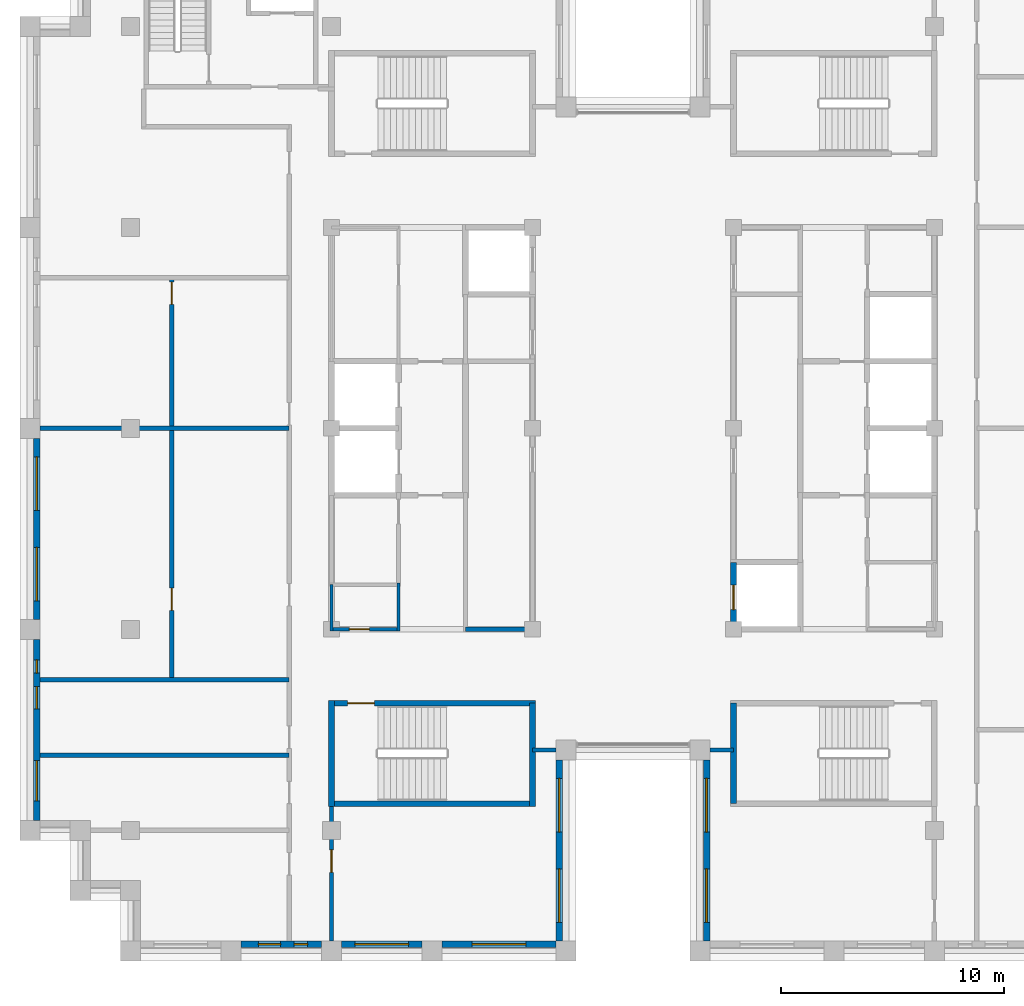
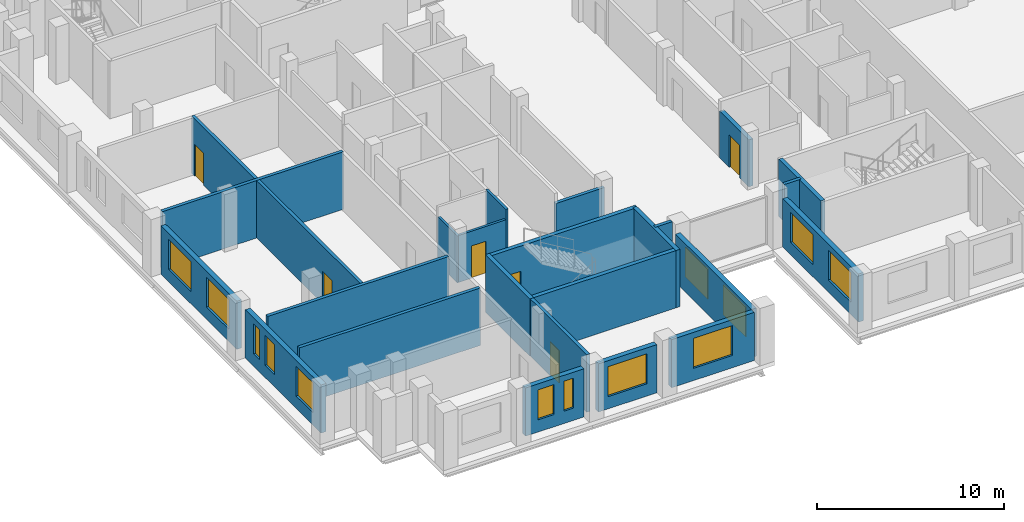
# One storey, part 6 of 13: 24 walls, 13 windows, 6 doors, 19 openings.
"""IFC4 building model written with IfcOpenShell, lengths in metres."""

from ifc_helpers import new_model, si_unit, direction, frame, frame_2d, origin, place, context, subcontext, project, spatial, rectangle, extrude, material, layer, layer_set, type_object, element, fill, save


model = new_model("IFC4")

# Units and contexts
model_context = context("Model", 3, precision=1e-05, world=origin(), true_north=direction((0.0, 1.0)))
body_context = subcontext(model_context, "Body", "Model", "MODEL_VIEW")
ifc_project = project(units=[si_unit("LENGTHUNIT", "METRE"), si_unit("AREAUNIT", "SQUARE_METRE"), si_unit("VOLUMEUNIT", "CUBIC_METRE"), si_unit("PLANEANGLEUNIT", "RADIAN"), si_unit("MASSUNIT", "GRAM", prefix="KILO")], contexts=[model_context])

# Site, building, storey
site_placement = place(None, origin())
site = spatial("IfcSite", under=ifc_project, at=site_placement, CompositionType="ELEMENT")
building_placement = place(site_placement, origin())
building = spatial("IfcBuilding", under=site, at=building_placement, Name="Corbelhall Arena Tower", CompositionType="ELEMENT")
storey_placement = place(building_placement, frame((0.0, 0.0, 304.0)))
storey = spatial("IfcBuildingStorey", under=building, at=storey_placement, Name="L66", CompositionType="ELEMENT", Elevation=304.0)

# Wall, openings, windows
ifc_material_1 = material(Name="Precast concrete C40/50 with granite facing", Category="masonry")
ifc_layer_1 = layer(ifc_material_1, 0.300048828125)
ifc_layer_set_1 = layer_set([ifc_layer_1], Name="EV-IW1 Infill panel 300")
wall_type_1 = type_object("IfcWallType", Name="EV-IW1 Infill panel 300", PredefinedType="SOLIDWALL", material=ifc_layer_set_1)
wall_1_placement = place(storey_placement, frame((-26.699951171875, -0.449951171875, 0.0), z_axis=(0.0, 0.0, 1.0), x_axis=(0.0, -1.0, 0.0)))
wall_1 = element("IfcWall", 1, at=wall_1_placement, inside=storey, type_object=wall_type_1, Name="Infill panel IW1", PredefinedType="SOLIDWALL", context=body_context, shape_type="SweptSolid", body=[
    extrude(rectangle(XDim=8.10009765625, YDim=0.300048828125, at=frame_2d((4.050048828125, 0.0))), origin(), (0.0, 0.0, 1.0), 3.139892578125),
])
opening_1_placement = place(wall_1_placement, frame((0.824951171875, 0.0, 0.800048828125)))
opening_1 = element("IfcOpeningElement", 2, at=opening_1_placement, cuts=wall_1, Name="Opening WN1", PredefinedType="OPENING", context=body_context, shape_type="SweptSolid", body=[
    extrude(rectangle(XDim=2.39990234375, YDim=1.949951171875, at=frame_2d((1.199951171875, 0.97509765625))), frame((0.0, 0.14990234375, 0.0), z_axis=(0.0, -1.0, 0.0), x_axis=(1.0, 0.0, 0.0)), (0.0, 0.0, 1.0), 0.300048828125),
])
opening_2_placement = place(wall_1_placement, frame((4.875, 0.0, 0.800048828125)))
opening_2 = element("IfcOpeningElement", 3, at=opening_2_placement, cuts=wall_1, Name="Opening WN1", PredefinedType="OPENING", context=body_context, shape_type="SweptSolid", body=[
    extrude(rectangle(XDim=2.39990234375, YDim=1.949951171875, at=frame_2d((1.199951171875, 0.97509765625))), frame((0.0, 0.14990234375, 0.0), z_axis=(0.0, -1.0, 0.0), x_axis=(1.0, 0.0, 0.0)), (0.0, 0.0, 1.0), 0.300048828125),
])
ifc_material_2 = material(Name="Aluminium black anodised", Category="aluminium")
window_type_1 = type_object("IfcWindowType", Name="EV-WN1 Office window", PartitioningType="SINGLE_PANEL", PredefinedType="WINDOW", material=ifc_material_2)
window_1_placement = place(opening_1_placement, origin())
window_1 = element("IfcWindow", 4, at=window_1_placement, inside=storey, type_object=window_type_1, Name="Window WN1", OverallHeight=1.949951171875, OverallWidth=2.39990234375, PartitioningType="SINGLE_PANEL", PredefinedType="WINDOW", context=body_context, shape_type="SweptSolid", body=[
    extrude(rectangle(XDim=2.39990234375, YDim=1.949951171875, at=frame_2d((1.199951171875, 0.97509765625))), frame((0.0, 0.030029296875, 0.0), z_axis=(0.0, -1.0, 0.0), x_axis=(1.0, 0.0, 0.0)), (0.0, 0.0, 1.0), 0.06005859375),
])
fill(opening_1, window_1)
window_2_placement = place(opening_2_placement, origin())
window_2 = element("IfcWindow", 5, at=window_2_placement, inside=storey, type_object=window_type_1, Name="Window WN1", OverallHeight=1.949951171875, OverallWidth=2.39990234375, PartitioningType="SINGLE_PANEL", PredefinedType="WINDOW", context=body_context, shape_type="SweptSolid", body=[
    extrude(rectangle(XDim=2.39990234375, YDim=1.949951171875, at=frame_2d((1.199951171875, 0.97509765625))), frame((0.0, 0.030029296875, 0.0), z_axis=(0.0, -1.0, 0.0), x_axis=(1.0, 0.0, 0.0)), (0.0, 0.0, 1.0), 0.06005859375),
])
fill(opening_2, window_2)

wall_2_placement = place(storey_placement, frame((-26.699951171875, -9.449951171875, 0.0), z_axis=(0.0, 0.0, 1.0), x_axis=(0.0, -1.0, 0.0)))
wall_2 = element("IfcWall", 6, at=wall_2_placement, inside=storey, type_object=wall_type_1, Name="Infill panel IW1", PredefinedType="SOLIDWALL", context=body_context, shape_type="SweptSolid", body=[
    extrude(rectangle(XDim=8.10009765625, YDim=0.300048828125, at=frame_2d((4.050048828125, 0.0))), origin(), (0.0, 0.0, 1.0), 3.139892578125),
])
opening_3_placement = place(wall_2_placement, frame((0.91259765625, 0.0, 0.800048828125)))
opening_3 = element("IfcOpeningElement", 7, at=opening_3_placement, cuts=wall_2, Name="Opening WN5", PredefinedType="OPENING", context=body_context, shape_type="SweptSolid", body=[
    extrude(rectangle(XDim=0.60009765625, YDim=1.949951171875, at=frame_2d((0.300048828125, 0.97509765625))), frame((0.0, 0.14990234375, 0.0), z_axis=(0.0, -1.0, 0.0), x_axis=(1.0, 0.0, 0.0)), (0.0, 0.0, 1.0), 0.300048828125),
])
opening_4_placement = place(wall_2_placement, frame((2.112548828125, 0.0, 0.800048828125)))
opening_4 = element("IfcOpeningElement", 8, at=opening_4_placement, cuts=wall_2, Name="Opening WN6", PredefinedType="OPENING", context=body_context, shape_type="SweptSolid", body=[
    extrude(rectangle(XDim=1.0, YDim=1.949951171875, at=frame_2d((0.5, 0.97509765625))), frame((0.0, 0.14990234375, 0.0), z_axis=(0.0, -1.0, 0.0), x_axis=(1.0, 0.0, 0.0)), (0.0, 0.0, 1.0), 0.300048828125),
])
opening_5_placement = place(wall_2_placement, frame((5.425048828125, 0.0, 0.800048828125)))
opening_5 = element("IfcOpeningElement", 9, at=opening_5_placement, cuts=wall_2, Name="Opening WN8", PredefinedType="OPENING", context=body_context, shape_type="SweptSolid", body=[
    extrude(rectangle(XDim=1.800048828125, YDim=1.949951171875, at=frame_2d((0.89990234375, 0.97509765625))), frame((0.0, 0.14990234375, 0.0), z_axis=(0.0, -1.0, 0.0), x_axis=(1.0, 0.0, 0.0)), (0.0, 0.0, 1.0), 0.300048828125),
])
window_type_2 = type_object("IfcWindowType", Name="EV-WN5 Office window 600", PartitioningType="SINGLE_PANEL", PredefinedType="WINDOW", material=ifc_material_2)
window_3_placement = place(opening_3_placement, origin())
window_3 = element("IfcWindow", 10, at=window_3_placement, inside=storey, type_object=window_type_2, Name="Window WN5", OverallHeight=1.949951171875, OverallWidth=0.60009765625, PartitioningType="SINGLE_PANEL", PredefinedType="WINDOW", context=body_context, shape_type="SweptSolid", body=[
    extrude(rectangle(XDim=0.60009765625, YDim=1.949951171875, at=frame_2d((0.300048828125, 0.97509765625))), frame((0.0, 0.030029296875, 0.0), z_axis=(0.0, -1.0, 0.0), x_axis=(1.0, 0.0, 0.0)), (0.0, 0.0, 1.0), 0.06005859375),
])
fill(opening_3, window_3)
window_type_3 = type_object("IfcWindowType", Name="EV-WN6 Office window 1000", PartitioningType="SINGLE_PANEL", PredefinedType="WINDOW", material=ifc_material_2)
window_4_placement = place(opening_4_placement, origin())
window_4 = element("IfcWindow", 11, at=window_4_placement, inside=storey, type_object=window_type_3, Name="Window WN6", OverallHeight=1.949951171875, OverallWidth=1.0, PartitioningType="SINGLE_PANEL", PredefinedType="WINDOW", context=body_context, shape_type="SweptSolid", body=[
    extrude(rectangle(XDim=1.0, YDim=1.949951171875, at=frame_2d((0.5, 0.97509765625))), frame((0.0, 0.030029296875, 0.0), z_axis=(0.0, -1.0, 0.0), x_axis=(1.0, 0.0, 0.0)), (0.0, 0.0, 1.0), 0.06005859375),
])
fill(opening_4, window_4)
window_type_4 = type_object("IfcWindowType", Name="EV-WN8 Office window 1800", PartitioningType="SINGLE_PANEL", PredefinedType="WINDOW", material=ifc_material_2)
window_5_placement = place(opening_5_placement, origin())
window_5 = element("IfcWindow", 12, at=window_5_placement, inside=storey, type_object=window_type_4, Name="Window WN8", OverallHeight=1.949951171875, OverallWidth=1.800048828125, PartitioningType="SINGLE_PANEL", PredefinedType="WINDOW", context=body_context, shape_type="SweptSolid", body=[
    extrude(rectangle(XDim=1.800048828125, YDim=1.949951171875, at=frame_2d((0.89990234375, 0.97509765625))), frame((0.0, 0.030029296875, 0.0), z_axis=(0.0, -1.0, 0.0), x_axis=(1.0, 0.0, 0.0)), (0.0, 0.0, 1.0), 0.06005859375),
])
fill(opening_5, window_5)

wall_3_placement = place(storey_placement, frame((-17.550048828125, -23.10009765625, 0.0), z_axis=(0.0, 0.0, 1.0), x_axis=(1.0, 0.0, 0.0)))
wall_3 = element("IfcWall", 13, at=wall_3_placement, inside=storey, type_object=wall_type_1, Name="Infill panel IW1", PredefinedType="SOLIDWALL", context=body_context, shape_type="SweptSolid", body=[
    extrude(rectangle(XDim=3.60009765625, YDim=0.300048828125, at=frame_2d((1.800048828125, 0.0))), origin(), (0.0, 0.0, 1.0), 3.139892578125),
])
opening_6_placement = place(wall_3_placement, frame((0.77490234375, 0.0, 0.800048828125)))
opening_6 = element("IfcOpeningElement", 14, at=opening_6_placement, cuts=wall_3, Name="Opening WN6", PredefinedType="OPENING", context=body_context, shape_type="SweptSolid", body=[
    extrude(rectangle(XDim=1.0, YDim=1.949951171875, at=frame_2d((0.5, 0.97509765625))), frame((0.0, 0.14990234375, 0.0), z_axis=(0.0, -1.0, 0.0), x_axis=(1.0, 0.0, 0.0)), (0.0, 0.0, 1.0), 0.300048828125),
])
opening_7_placement = place(wall_3_placement, frame((2.375, 0.0, 0.800048828125)))
opening_7 = element("IfcOpeningElement", 15, at=opening_7_placement, cuts=wall_3, Name="Opening WN5", PredefinedType="OPENING", context=body_context, shape_type="SweptSolid", body=[
    extrude(rectangle(XDim=0.60009765625, YDim=1.949951171875, at=frame_2d((0.300048828125, 0.97509765625))), frame((0.0, 0.14990234375, 0.0), z_axis=(0.0, -1.0, 0.0), x_axis=(1.0, 0.0, 0.0)), (0.0, 0.0, 1.0), 0.300048828125),
])
window_6_placement = place(opening_7_placement, origin())
window_6 = element("IfcWindow", 16, at=window_6_placement, inside=storey, type_object=window_type_2, Name="Window WN5", OverallHeight=1.949951171875, OverallWidth=0.60009765625, PartitioningType="SINGLE_PANEL", PredefinedType="WINDOW", context=body_context, shape_type="SweptSolid", body=[
    extrude(rectangle(XDim=0.60009765625, YDim=1.949951171875, at=frame_2d((0.300048828125, 0.97509765625))), frame((0.0, 0.030029296875, 0.0), z_axis=(0.0, -1.0, 0.0), x_axis=(1.0, 0.0, 0.0)), (0.0, 0.0, 1.0), 0.06005859375),
])
fill(opening_7, window_6)
window_7_placement = place(opening_6_placement, origin())
window_7 = element("IfcWindow", 17, at=window_7_placement, inside=storey, type_object=window_type_3, Name="Window WN6", OverallHeight=1.949951171875, OverallWidth=1.0, PartitioningType="SINGLE_PANEL", PredefinedType="WINDOW", context=body_context, shape_type="SweptSolid", body=[
    extrude(rectangle(XDim=1.0, YDim=1.949951171875, at=frame_2d((0.5, 0.97509765625))), frame((0.0, 0.030029296875, 0.0), z_axis=(0.0, -1.0, 0.0), x_axis=(1.0, 0.0, 0.0)), (0.0, 0.0, 1.0), 0.06005859375),
])
fill(opening_6, window_7)

# Wall, opening, window
wall_4_placement = place(storey_placement, frame((-13.050048828125, -23.10009765625, 0.0), z_axis=(0.0, 0.0, 1.0), x_axis=(1.0, 0.0, 0.0)))
wall_4 = element("IfcWall", 18, at=wall_4_placement, inside=storey, type_object=wall_type_1, Name="Infill panel IW1", PredefinedType="SOLIDWALL", context=body_context, shape_type="SweptSolid", body=[
    extrude(rectangle(XDim=3.60009765625, YDim=0.300048828125, at=frame_2d((1.800048828125, 0.0))), origin(), (0.0, 0.0, 1.0), 3.139892578125),
])
opening_8_placement = place(wall_4_placement, frame((0.60009765625, 0.0, 0.800048828125)))
opening_8 = element("IfcOpeningElement", 19, at=opening_8_placement, cuts=wall_4, Name="Opening WN1", PredefinedType="OPENING", context=body_context, shape_type="SweptSolid", body=[
    extrude(rectangle(XDim=2.39990234375, YDim=1.949951171875, at=frame_2d((1.199951171875, 0.97509765625))), frame((0.0, 0.14990234375, 0.0), z_axis=(0.0, -1.0, 0.0), x_axis=(1.0, 0.0, 0.0)), (0.0, 0.0, 1.0), 0.300048828125),
])
window_8_placement = place(opening_8_placement, origin())
window_8 = element("IfcWindow", 20, at=window_8_placement, inside=storey, type_object=window_type_1, Name="Window WN1", OverallHeight=1.949951171875, OverallWidth=2.39990234375, PartitioningType="SINGLE_PANEL", PredefinedType="WINDOW", context=body_context, shape_type="SweptSolid", body=[
    extrude(rectangle(XDim=2.39990234375, YDim=1.949951171875, at=frame_2d((1.199951171875, 0.97509765625))), frame((0.0, 0.030029296875, 0.0), z_axis=(0.0, -1.0, 0.0), x_axis=(1.0, 0.0, 0.0)), (0.0, 0.0, 1.0), 0.06005859375),
])
fill(opening_8, window_8)

wall_5_placement = place(storey_placement, frame((-8.550048828125, -23.10009765625, 0.0), z_axis=(0.0, 0.0, 1.0), x_axis=(1.0, 0.0, 0.0)))
wall_5 = element("IfcWall", 21, at=wall_5_placement, inside=storey, type_object=wall_type_1, Name="Infill panel IW1", PredefinedType="SOLIDWALL", context=body_context, shape_type="SweptSolid", body=[
    extrude(rectangle(XDim=5.10009765625, YDim=0.300048828125, at=frame_2d((2.550048828125, 0.0))), origin(), (0.0, 0.0, 1.0), 3.139892578125),
])
opening_9_placement = place(wall_5_placement, frame((1.35009765625, 0.0, 0.800048828125)))
opening_9 = element("IfcOpeningElement", 22, at=opening_9_placement, cuts=wall_5, Name="Opening WN1", PredefinedType="OPENING", context=body_context, shape_type="SweptSolid", body=[
    extrude(rectangle(XDim=2.39990234375, YDim=1.949951171875, at=frame_2d((1.199951171875, 0.97509765625))), frame((0.0, 0.14990234375, 0.0), z_axis=(0.0, -1.0, 0.0), x_axis=(1.0, 0.0, 0.0)), (0.0, 0.0, 1.0), 0.300048828125),
])
window_9_placement = place(opening_9_placement, origin())
window_9 = element("IfcWindow", 23, at=window_9_placement, inside=storey, type_object=window_type_1, Name="Window WN1", OverallHeight=1.949951171875, OverallWidth=2.39990234375, PartitioningType="SINGLE_PANEL", PredefinedType="WINDOW", context=body_context, shape_type="SweptSolid", body=[
    extrude(rectangle(XDim=2.39990234375, YDim=1.949951171875, at=frame_2d((1.199951171875, 0.97509765625))), frame((0.0, 0.030029296875, 0.0), z_axis=(0.0, -1.0, 0.0), x_axis=(1.0, 0.0, 0.0)), (0.0, 0.0, 1.0), 0.06005859375),
])
fill(opening_9, window_9)

# Wall, openings, windows
wall_6_placement = place(storey_placement, frame((-3.300048828125, -22.949951171875, 0.0), z_axis=(0.0, 0.0, 1.0), x_axis=(0.0, 1.0, 0.0)))
wall_6 = element("IfcWall", 24, at=wall_6_placement, inside=storey, type_object=wall_type_1, Name="Infill panel IW1", PredefinedType="SOLIDWALL", context=body_context, shape_type="SweptSolid", body=[
    extrude(rectangle(XDim=8.099853515625, YDim=0.300048828125, at=frame_2d((4.0498046875, 0.0))), origin(), (0.0, 0.0, 1.0), 3.139892578125),
])
opening_10_placement = place(wall_6_placement, frame((0.824951171875, 0.0, 0.800048828125)))
opening_10 = element("IfcOpeningElement", 25, at=opening_10_placement, cuts=wall_6, Name="Opening WN1", PredefinedType="OPENING", context=body_context, shape_type="SweptSolid", body=[
    extrude(rectangle(XDim=2.39990234375, YDim=1.949951171875, at=frame_2d((1.199951171875, 0.97509765625))), frame((0.0, 0.14990234375, 0.0), z_axis=(0.0, -1.0, 0.0), x_axis=(1.0, 0.0, 0.0)), (0.0, 0.0, 1.0), 0.300048828125),
])
opening_11_placement = place(wall_6_placement, frame((4.875, 0.0, 0.800048828125)))
opening_11 = element("IfcOpeningElement", 26, at=opening_11_placement, cuts=wall_6, Name="Opening WN1", PredefinedType="OPENING", context=body_context, shape_type="SweptSolid", body=[
    extrude(rectangle(XDim=2.39990234375, YDim=1.949951171875, at=frame_2d((1.199951171875, 0.97509765625))), frame((0.0, 0.14990234375, 0.0), z_axis=(0.0, -1.0, 0.0), x_axis=(1.0, 0.0, 0.0)), (0.0, 0.0, 1.0), 0.300048828125),
])
window_10_placement = place(opening_10_placement, origin())
window_10 = element("IfcWindow", 27, at=window_10_placement, inside=storey, type_object=window_type_1, Name="Window WN1", OverallHeight=1.949951171875, OverallWidth=2.39990234375, PartitioningType="SINGLE_PANEL", PredefinedType="WINDOW", context=body_context, shape_type="SweptSolid", body=[
    extrude(rectangle(XDim=2.39990234375, YDim=1.949951171875, at=frame_2d((1.199951171875, 0.97509765625))), frame((0.0, 0.030029296875, 0.0), z_axis=(0.0, -1.0, 0.0), x_axis=(1.0, 0.0, 0.0)), (0.0, 0.0, 1.0), 0.06005859375),
])
fill(opening_10, window_10)
window_11_placement = place(opening_11_placement, origin())
window_11 = element("IfcWindow", 28, at=window_11_placement, inside=storey, type_object=window_type_1, Name="Window WN1", OverallHeight=1.949951171875, OverallWidth=2.39990234375, PartitioningType="SINGLE_PANEL", PredefinedType="WINDOW", context=body_context, shape_type="SweptSolid", body=[
    extrude(rectangle(XDim=2.39990234375, YDim=1.949951171875, at=frame_2d((1.199951171875, 0.97509765625))), frame((0.0, 0.030029296875, 0.0), z_axis=(0.0, -1.0, 0.0), x_axis=(1.0, 0.0, 0.0)), (0.0, 0.0, 1.0), 0.06005859375),
])
fill(opening_11, window_11)

wall_7_placement = place(storey_placement, frame((3.300048828125, -14.85009765625, 0.0), z_axis=(0.0, 0.0, 1.0), x_axis=(0.0, -1.0, 0.0)))
wall_7 = element("IfcWall", 29, at=wall_7_placement, inside=storey, type_object=wall_type_1, Name="Infill panel IW1", PredefinedType="SOLIDWALL", context=body_context, shape_type="SweptSolid", body=[
    extrude(rectangle(XDim=8.099853515625, YDim=0.300048828125, at=frame_2d((4.0498046875, 0.0))), origin(), (0.0, 0.0, 1.0), 3.139892578125),
])
opening_12_placement = place(wall_7_placement, frame((0.824951171875, 0.0, 0.800048828125)))
opening_12 = element("IfcOpeningElement", 30, at=opening_12_placement, cuts=wall_7, Name="Opening WN1", PredefinedType="OPENING", context=body_context, shape_type="SweptSolid", body=[
    extrude(rectangle(XDim=2.39990234375, YDim=1.949951171875, at=frame_2d((1.199951171875, 0.97509765625))), frame((0.0, 0.14990234375, 0.0), z_axis=(0.0, -1.0, 0.0), x_axis=(1.0, 0.0, 0.0)), (0.0, 0.0, 1.0), 0.300048828125),
])
opening_13_placement = place(wall_7_placement, frame((4.875, 0.0, 0.800048828125)))
opening_13 = element("IfcOpeningElement", 31, at=opening_13_placement, cuts=wall_7, Name="Opening WN1", PredefinedType="OPENING", context=body_context, shape_type="SweptSolid", body=[
    extrude(rectangle(XDim=2.39990234375, YDim=1.949951171875, at=frame_2d((1.199951171875, 0.97509765625))), frame((0.0, 0.14990234375, 0.0), z_axis=(0.0, -1.0, 0.0), x_axis=(1.0, 0.0, 0.0)), (0.0, 0.0, 1.0), 0.300048828125),
])
window_12_placement = place(opening_12_placement, origin())
window_12 = element("IfcWindow", 32, at=window_12_placement, inside=storey, type_object=window_type_1, Name="Window WN1", OverallHeight=1.949951171875, OverallWidth=2.39990234375, PartitioningType="SINGLE_PANEL", PredefinedType="WINDOW", context=body_context, shape_type="SweptSolid", body=[
    extrude(rectangle(XDim=2.39990234375, YDim=1.949951171875, at=frame_2d((1.199951171875, 0.97509765625))), frame((0.0, 0.030029296875, 0.0), z_axis=(0.0, -1.0, 0.0), x_axis=(1.0, 0.0, 0.0)), (0.0, 0.0, 1.0), 0.06005859375),
])
fill(opening_12, window_12)
window_13_placement = place(opening_13_placement, origin())
window_13 = element("IfcWindow", 33, at=window_13_placement, inside=storey, type_object=window_type_1, Name="Window WN1", OverallHeight=1.949951171875, OverallWidth=2.39990234375, PartitioningType="SINGLE_PANEL", PredefinedType="WINDOW", context=body_context, shape_type="SweptSolid", body=[
    extrude(rectangle(XDim=2.39990234375, YDim=1.949951171875, at=frame_2d((1.199951171875, 0.97509765625))), frame((0.0, 0.030029296875, 0.0), z_axis=(0.0, -1.0, 0.0), x_axis=(1.0, 0.0, 0.0)), (0.0, 0.0, 1.0), 0.06005859375),
])
fill(opening_13, window_13)

# Walls
ifc_material_3 = material(Name="Gypsum board on steel stud, acoustic", Category="steel")
ifc_layer_2 = layer(ifc_material_3, 0.199951171875)
ifc_layer_set_2 = layer_set([ifc_layer_2], Name="IN-W-DM200")
wall_type_2 = type_object("IfcWallType", Name="IN-W-DM200", PredefinedType="PARTITIONING", material=ifc_layer_set_2)
for number, where, z_axis, x_axis, name in (
    (34, (-26.550048828125, -14.625, 0.0), (0.0, 0.0, 1.0), (1.0, 0.0, 0.0), "Partition 001"),
    (35, (-26.550048828125, -11.25, 0.0), (0.0, 0.0, 1.0), (1.0, 0.0, 0.0), "Partition 002"),
):
    element("IfcWall", number, at=place(storey_placement, frame(where, z_axis=z_axis, x_axis=x_axis)), inside=storey, type_object=wall_type_2, Name=name, PredefinedType="PARTITIONING", context=body_context, shape_type="SweptSolid", body=[
        extrude(rectangle(XDim=11.150146484375, YDim=0.199951171875, at=frame_2d((5.5751953125, 0.0))), origin(), (0.0, 0.0, 1.0), 3.739990234375),
    ])

# Wall, openings, doors
wall_8_placement = place(storey_placement, frame((-20.64990234375, -11.25, 0.0), z_axis=(0.0, 0.0, 1.0), x_axis=(0.0, 1.0, 0.0)))
wall_8 = element("IfcWall", 36, at=wall_8_placement, inside=storey, type_object=wall_type_2, Name="Partition 007", PredefinedType="PARTITIONING", context=body_context, shape_type="SweptSolid", body=[
    extrude(rectangle(XDim=18.10009765625, YDim=0.199951171875, at=frame_2d((9.050048828125, 0.0))), origin(), (0.0, 0.0, 1.0), 3.739990234375),
])
opening_14_placement = place(wall_8_placement, frame((16.800048828125, 0.0, 0.0)))
opening_14 = element("IfcOpeningElement", 37, at=opening_14_placement, cuts=wall_8, Name="Opening 21022", PredefinedType="OPENING", context=body_context, shape_type="SweptSolid", body=[
    extrude(rectangle(XDim=1.0, YDim=2.10009765625, at=frame_2d((0.5, 1.050048828125))), frame((0.0, 0.10009765625, 0.0), z_axis=(0.0, -1.0, 0.0), x_axis=(1.0, 0.0, 0.0)), (0.0, 0.0, 1.0), 0.199951171875),
])
opening_15_placement = place(wall_8_placement, frame((3.10009765625, 0.0, 0.0)))
opening_15 = element("IfcOpeningElement", 38, at=opening_15_placement, cuts=wall_8, Name="Opening 21028", PredefinedType="OPENING", context=body_context, shape_type="SweptSolid", body=[
    extrude(rectangle(XDim=1.0, YDim=2.10009765625, at=frame_2d((0.5, 1.050048828125))), frame((0.0, 0.10009765625, 0.0), z_axis=(0.0, -1.0, 0.0), x_axis=(1.0, 0.0, 0.0)), (0.0, 0.0, 1.0), 0.199951171875),
])
ifc_material_4 = material(Name="Steel door set", Category="steel")
door_type_1 = type_object("IfcDoorType", Name="IN-D-SW100", OperationType="NOTDEFINED", PredefinedType="DOOR", material=ifc_material_4)
door_1_placement = place(opening_14_placement, origin())
door_1 = element("IfcDoor", 39, at=door_1_placement, inside=storey, type_object=door_type_1, Name="Door 022", OperationType="SINGLE_SWING_LEFT", OverallHeight=2.10009765625, OverallWidth=1.0, PredefinedType="DOOR", context=body_context, shape_type="SweptSolid", body=[
    extrude(rectangle(XDim=1.0, YDim=2.10009765625, at=frame_2d((0.5, 1.050048828125))), frame((0.0, 0.02490234375, 0.0), z_axis=(0.0, -1.0, 0.0), x_axis=(1.0, 0.0, 0.0)), (0.0, 0.0, 1.0), 0.050048828125),
])
fill(opening_14, door_1)
door_2_placement = place(opening_15_placement, origin())
door_2 = element("IfcDoor", 40, at=door_2_placement, inside=storey, type_object=door_type_1, Name="Door 028", OperationType="SINGLE_SWING_LEFT", OverallHeight=2.10009765625, OverallWidth=1.0, PredefinedType="DOOR", context=body_context, shape_type="SweptSolid", body=[
    extrude(rectangle(XDim=1.0, YDim=2.10009765625, at=frame_2d((0.5, 1.050048828125))), frame((0.0, 0.02490234375, 0.0), z_axis=(0.0, -1.0, 0.0), x_axis=(1.0, 0.0, 0.0)), (0.0, 0.0, 1.0), 0.050048828125),
])
fill(opening_15, door_2)

# Wall
wall_9_placement = place(storey_placement, frame((-15.39990234375, 0.0, 0.0), z_axis=(0.0, 0.0, 1.0), x_axis=(-1.0, 0.0, 0.0)))
element("IfcWall", 41, at=wall_9_placement, inside=storey, type_object=wall_type_2, Name="Partition 008", PredefinedType="PARTITIONING", context=body_context, shape_type="SweptSolid", body=[
    extrude(rectangle(XDim=11.150146484375, YDim=0.199951171875, at=frame_2d((5.5751953125, 0.0))), origin(), (0.0, 0.0, 1.0), 3.739990234375),
])

# Wall, opening, door
wall_10_placement = place(storey_placement, frame((-13.5, -16.675048828125, 0.0), z_axis=(0.0, 0.0, 1.0), x_axis=(0.0, -1.0, 0.0)))
wall_10 = element("IfcWall", 42, at=wall_10_placement, inside=storey, type_object=wall_type_2, Name="Partition 013", PredefinedType="PARTITIONING", context=body_context, shape_type="SweptSolid", body=[
    extrude(rectangle(XDim=6.27490234375, YDim=0.199951171875, at=frame_2d((3.137451171875, 0.0))), origin(), (0.0, 0.0, 1.0), 3.739990234375),
])
opening_16_placement = place(wall_10_placement, frame((2.199951171875, 0.0, 0.0)))
opening_16 = element("IfcOpeningElement", 43, at=opening_16_placement, cuts=wall_10, Name="Opening 21019", PredefinedType="OPENING", context=body_context, shape_type="SweptSolid", body=[
    extrude(rectangle(XDim=1.0, YDim=2.10009765625, at=frame_2d((0.5, 1.050048828125))), frame((0.0, 0.10009765625, 0.0), z_axis=(0.0, -1.0, 0.0), x_axis=(1.0, 0.0, 0.0)), (0.0, 0.0, 1.0), 0.199951171875),
])
door_3_placement = place(opening_16_placement, origin())
door_3 = element("IfcDoor", 44, at=door_3_placement, inside=storey, type_object=door_type_1, Name="Door 019", OperationType="SINGLE_SWING_RIGHT", OverallHeight=2.10009765625, OverallWidth=1.0, PredefinedType="DOOR", context=body_context, shape_type="SweptSolid", body=[
    extrude(rectangle(XDim=1.0, YDim=2.10009765625, at=frame_2d((0.5, 1.050048828125))), frame((0.0, 0.02490234375, 0.0), z_axis=(0.0, -1.0, 0.0), x_axis=(1.0, 0.0, 0.0)), (0.0, 0.0, 1.0), 0.050048828125),
])
fill(opening_16, door_3)

# Walls
for number, where, z_axis, x_axis, name in (
    (45, (-3.449951171875, -14.39990234375, 0.0), (0.0, 0.0, 1.0), (-1.0, 0.0, 0.0), "Partition 015"),
    (46, (4.5, -14.39990234375, 0.0), (0.0, 0.0, 1.0), (-1.0, 0.0, 0.0), "Partition 017"),
):
    element("IfcWall", number, at=place(storey_placement, frame(where, z_axis=z_axis, x_axis=x_axis)), inside=storey, type_object=wall_type_2, Name=name, PredefinedType="PARTITIONING", context=body_context, shape_type="SweptSolid", body=[
        extrude(rectangle(XDim=1.050048828125, YDim=0.199951171875, at=frame_2d((0.52490234375, 0.0))), origin(), (0.0, 0.0, 1.0), 3.739990234375),
    ])
ifc_material_5 = material(Name="Concrete block wall", Category="concrete")
ifc_layer_3 = layer(ifc_material_5, 0.199951171875)
ifc_layer_set_3 = layer_set([ifc_layer_3], Name="IN-W-RS200 under beam 678 mm")
wall_type_3 = type_object("IfcWallType", Name="IN-W-RS200 under beam 678 mm", PredefinedType="SOLIDWALL", material=ifc_layer_set_3)
wall_11_placement = place(storey_placement, frame((-4.5, -9.0, 0.0), z_axis=(0.0, 0.0, 1.0), x_axis=(-1.0, 0.0, 0.0)))
element("IfcWall", 47, at=wall_11_placement, inside=storey, type_object=wall_type_3, Name="Partition 032", PredefinedType="SOLIDWALL", context=body_context, shape_type="SweptSolid", body=[
    extrude(rectangle(XDim=3.0, YDim=0.199951171875, at=frame_2d((1.5, 0.0))), origin(), (0.0, 0.0, 1.0), 3.061767578125),
])

# Wall, opening, door
ifc_material_6 = material(Name="Concrete C40/50", Category="concrete")
ifc_layer_4 = layer(ifc_material_6, 0.25)
ifc_layer_set_4 = layer_set([ifc_layer_4], Name="IN-W-SH250 under beam 678 mm")
wall_type_4 = type_object("IfcWallType", Name="IN-W-SH250 under beam 678 mm", PredefinedType="SOLIDWALL", material=ifc_layer_set_4)
wall_12_placement = place(storey_placement, frame((4.5, -9.125, 0.0), z_axis=(0.0, 0.0, 1.0), x_axis=(0.0, 1.0, 0.0)))
wall_12 = element("IfcWall", 48, at=wall_12_placement, inside=storey, type_object=wall_type_4, Name="Shaft wall 055", PredefinedType="SOLIDWALL", context=body_context, shape_type="SweptSolid", body=[
    extrude(rectangle(XDim=3.125, YDim=0.25, at=frame_2d((1.5625, 0.0))), origin(), (0.0, 0.0, 1.0), 3.061767578125),
])
opening_17_placement = place(wall_12_placement, frame((1.012451171875, 0.0, 0.0)))
opening_17 = element("IfcOpeningElement", 49, at=opening_17_placement, cuts=wall_12, Name="Opening LD", PredefinedType="OPENING", context=body_context, shape_type="SweptSolid", body=[
    extrude(rectangle(XDim=1.10009765625, YDim=2.10009765625, at=frame_2d((0.550048828125, 1.050048828125))), frame((0.0, 0.125, 0.0), z_axis=(0.0, -1.0, 0.0), x_axis=(1.0, 0.0, 0.0)), (0.0, 0.0, 1.0), 0.25),
])
door_type_2 = type_object("IfcDoorType", Name="IN-D-LD110", OperationType="NOTDEFINED", PredefinedType="DOOR", material=ifc_material_4)
door_4_placement = place(opening_17_placement, origin())
door_4 = element("IfcDoor", 50, at=door_4_placement, inside=storey, type_object=door_type_2, Name="Landing door E1", OperationType="SLIDING_TO_LEFT", OverallHeight=2.10009765625, OverallWidth=1.10009765625, PredefinedType="DOOR", context=body_context, shape_type="SweptSolid", body=[
    extrude(rectangle(XDim=1.10009765625, YDim=2.10009765625, at=frame_2d((0.550048828125, 1.050048828125))), frame((0.0, 0.02490234375, 0.0), z_axis=(0.0, -1.0, 0.0), x_axis=(1.0, 0.0, 0.0)), (0.0, 0.0, 1.0), 0.050048828125),
])
fill(opening_17, door_4)

# Walls
ifc_layer_5 = layer(ifc_material_6, 0.25)
ifc_layer_set_5 = layer_set([ifc_layer_5], Name="IN-W-ST250")
wall_type_5 = type_object("IfcWallType", Name="IN-W-ST250", PredefinedType="SOLIDWALL", material=ifc_layer_set_5)
wall_13_placement = place(storey_placement, frame((-13.5, -12.175048828125, 0.0), z_axis=(0.0, 0.0, 1.0), x_axis=(0.0, -1.0, 0.0)))
element("IfcWall", 51, at=wall_13_placement, inside=storey, type_object=wall_type_5, Name="Shaft wall 065", PredefinedType="SOLIDWALL", context=body_context, shape_type="SweptSolid", body=[
    extrude(rectangle(XDim=4.75, YDim=0.25, at=frame_2d((2.375, 0.0))), origin(), (0.0, 0.0, 1.0), 3.739990234375),
])
wall_14_placement = place(storey_placement, frame((-4.5, -16.800048828125, 0.0), z_axis=(0.0, 0.0, 1.0), x_axis=(-1.0, 0.0, 0.0)))
element("IfcWall", 52, at=wall_14_placement, inside=storey, type_object=wall_type_5, Name="Shaft wall 069", PredefinedType="SOLIDWALL", context=body_context, shape_type="SweptSolid", body=[
    extrude(rectangle(XDim=9.0, YDim=0.25, at=frame_2d((4.5, 0.0))), origin(), (0.0, 0.0, 1.0), 3.739990234375),
])
wall_15_placement = place(storey_placement, frame((-4.5, -12.300048828125, 0.0), z_axis=(0.0, 0.0, 1.0), x_axis=(0.0, -1.0, 0.0)))
element("IfcWall", 53, at=wall_15_placement, inside=storey, type_object=wall_type_5, Name="Shaft wall 070", PredefinedType="SOLIDWALL", context=body_context, shape_type="SweptSolid", body=[
    extrude(rectangle(XDim=4.625, YDim=0.25, at=frame_2d((2.3125, 0.0))), origin(), (0.0, 0.0, 1.0), 3.739990234375),
])

# Wall, opening, door
wall_16_placement = place(storey_placement, frame((-4.375, -12.300048828125, 0.0), z_axis=(0.0, 0.0, 1.0), x_axis=(-1.0, 0.0, 0.0)))
wall_16 = element("IfcWall", 54, at=wall_16_placement, inside=storey, type_object=wall_type_5, Name="Shaft wall 072", PredefinedType="SOLIDWALL", context=body_context, shape_type="SweptSolid", body=[
    extrude(rectangle(XDim=9.125, YDim=0.25, at=frame_2d((4.5625, 0.0))), origin(), (0.0, 0.0, 1.0), 3.739990234375),
])
opening_18_placement = place(wall_16_placement, frame((7.199951171875, 0.0, 0.0)))
opening_18 = element("IfcOpeningElement", 55, at=opening_18_placement, cuts=wall_16, Name="Opening 21015", PredefinedType="OPENING", context=body_context, shape_type="SweptSolid", body=[
    extrude(rectangle(XDim=1.199951171875, YDim=2.10009765625, at=frame_2d((0.60009765625, 1.050048828125))), frame((0.0, 0.125, 0.0), z_axis=(0.0, -1.0, 0.0), x_axis=(1.0, 0.0, 0.0)), (0.0, 0.0, 1.0), 0.25),
])
door_type_3 = type_object("IfcDoorType", Name="IN-D-ST120", OperationType="NOTDEFINED", PredefinedType="DOOR", material=ifc_material_4)
door_5_placement = place(opening_18_placement, origin())
door_5 = element("IfcDoor", 56, at=door_5_placement, inside=storey, type_object=door_type_3, Name="Door 015", OperationType="SINGLE_SWING_RIGHT", OverallHeight=2.10009765625, OverallWidth=1.199951171875, PredefinedType="DOOR", context=body_context, shape_type="SweptSolid", body=[
    extrude(rectangle(XDim=1.199951171875, YDim=2.10009765625, at=frame_2d((0.60009765625, 1.050048828125))), frame((0.0, 0.02490234375, 0.0), z_axis=(0.0, -1.0, 0.0), x_axis=(1.0, 0.0, 0.0)), (0.0, 0.0, 1.0), 0.050048828125),
])
fill(opening_18, door_5)

# Walls
wall_17_placement = place(storey_placement, frame((4.5, -16.800048828125, 0.0), z_axis=(0.0, 0.0, 1.0), x_axis=(0.0, 1.0, 0.0)))
element("IfcWall", 57, at=wall_17_placement, inside=storey, type_object=wall_type_5, Name="Shaft wall 075", PredefinedType="SOLIDWALL", context=body_context, shape_type="SweptSolid", body=[
    extrude(rectangle(XDim=4.5, YDim=0.25, at=frame_2d((2.25, 0.0))), origin(), (0.0, 0.0, 1.0), 3.739990234375),
])
ifc_material_7 = material(Name="Gypsum board on steel stud, moisture resistant", Category="steel")
ifc_layer_6 = layer(ifc_material_7, 0.14990234375)
ifc_layer_set_6 = layer_set([ifc_layer_6], Name="IN-W-WC150")
wall_type_6 = type_object("IfcWallType", Name="IN-W-WC150", PredefinedType="PARTITIONING", material=ifc_layer_set_6)
wall_18_placement = place(storey_placement, frame((-10.5, -9.074951171875, 0.0), z_axis=(0.0, 0.0, 1.0), x_axis=(0.0, 1.0, 0.0)))
element("IfcWall", 58, at=wall_18_placement, inside=storey, type_object=wall_type_6, Name="Partition 085", PredefinedType="PARTITIONING", context=body_context, shape_type="SweptSolid", body=[
    extrude(rectangle(XDim=2.14990234375, YDim=0.14990234375, at=frame_2d((1.074951171875, 0.0))), origin(), (0.0, 0.0, 1.0), 3.739990234375),
])
ifc_layer_7 = layer(ifc_material_7, 0.14990234375)
ifc_layer_set_7 = layer_set([ifc_layer_7], Name="IN-W-WC150 under beam 678 mm")
wall_type_7 = type_object("IfcWallType", Name="IN-W-WC150 under beam 678 mm", PredefinedType="PARTITIONING", material=ifc_layer_set_7)
wall_19_placement = place(storey_placement, frame((-13.5, -9.074951171875, 0.0), z_axis=(0.0, 0.0, 1.0), x_axis=(0.0, 1.0, 0.0)))
element("IfcWall", 59, at=wall_19_placement, inside=storey, type_object=wall_type_7, Name="Partition 082", PredefinedType="PARTITIONING", context=body_context, shape_type="SweptSolid", body=[
    extrude(rectangle(XDim=2.074951171875, YDim=0.14990234375, at=frame_2d((1.03759765625, 0.0))), origin(), (0.0, 0.0, 1.0), 3.061767578125),
])

# Wall, opening, door
wall_20_placement = place(storey_placement, frame((-10.5, -9.0, 0.0), z_axis=(0.0, 0.0, 1.0), x_axis=(-1.0, 0.0, 0.0)))
wall_20 = element("IfcWall", 60, at=wall_20_placement, inside=storey, type_object=wall_type_7, Name="Partition 086", PredefinedType="PARTITIONING", context=body_context, shape_type="SweptSolid", body=[
    extrude(rectangle(XDim=3.0, YDim=0.14990234375, at=frame_2d((1.5, 0.0))), origin(), (0.0, 0.0, 1.0), 3.061767578125),
])
opening_19_placement = place(wall_20_placement, frame((1.300048828125, 0.0, 0.0)))
opening_19 = element("IfcOpeningElement", 61, at=opening_19_placement, cuts=wall_20, Name="Opening 21005", PredefinedType="OPENING", context=body_context, shape_type="SweptSolid", body=[
    extrude(rectangle(XDim=0.89990234375, YDim=2.10009765625, at=frame_2d((0.449951171875, 1.050048828125))), frame((0.0, 0.074951171875, 0.0), z_axis=(0.0, -1.0, 0.0), x_axis=(1.0, 0.0, 0.0)), (0.0, 0.0, 1.0), 0.14990234375),
])
ifc_material_8 = material(Name="Timber door set", Category="wood")
door_type_4 = type_object("IfcDoorType", Name="IN-D-SW90", OperationType="NOTDEFINED", PredefinedType="DOOR", material=ifc_material_8)
door_6_placement = place(opening_19_placement, origin())
door_6 = element("IfcDoor", 62, at=door_6_placement, inside=storey, type_object=door_type_4, Name="Door 005", OperationType="SINGLE_SWING_RIGHT", OverallHeight=2.10009765625, OverallWidth=0.89990234375, PredefinedType="DOOR", context=body_context, shape_type="SweptSolid", body=[
    extrude(rectangle(XDim=0.89990234375, YDim=2.10009765625, at=frame_2d((0.449951171875, 1.050048828125))), frame((0.0, 0.02490234375, 0.0), z_axis=(0.0, -1.0, 0.0), x_axis=(1.0, 0.0, 0.0)), (0.0, 0.0, 1.0), 0.050048828125),
])
fill(opening_19, door_6)

save(model, "model.ifc")
